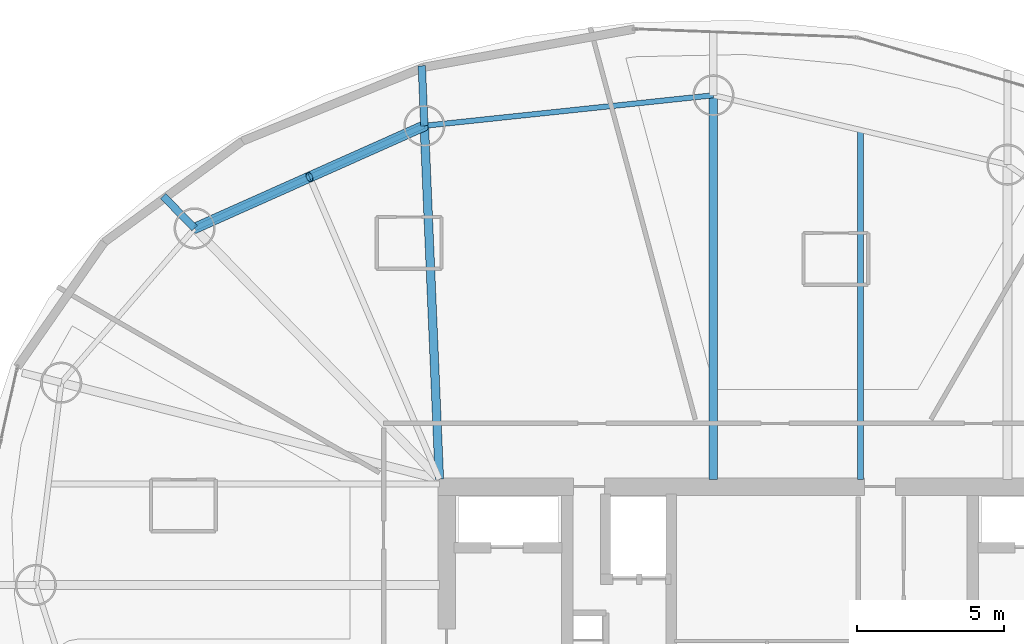
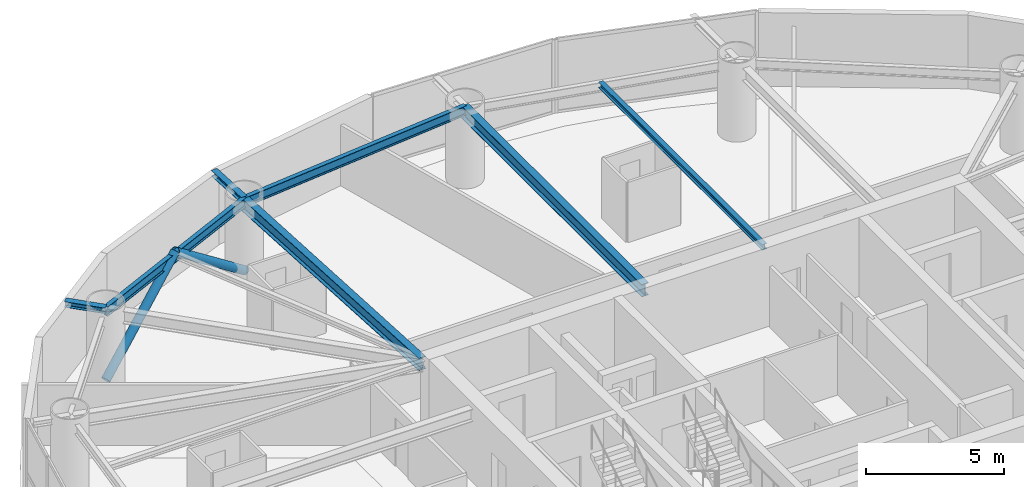
# One storey, part 12 of 22: 7 beams, 2 members.
"""IFC4 building model written with IfcOpenShell, lengths in metres."""

import ifcopenshell
import ifcopenshell.guid

model = None  # the IFC model being written
_history = None  # IfcOwnerHistory: only IFC2X3 demands one
_inside = {}  # id of a spatial element -> (the spatial element, [elements in it])
_under = {}  # id of a project, library or spatial element -> (it, [spatial elements below it])
_declared = {}  # id of a project -> (the project, [libraries it declares])
_typed = {}  # id of a type object -> (the type object, [elements of that type])
_made_of = {}  # id of a material, layer set ... -> (it, [elements and type objects made of it])


def new_model(schema):
    """Start an empty IFC model of exactly this schema.

    Asked for "IFC4X3", IfcOpenShell would pick the latest addendum, in which some entities
    have other attributes; the version numbers below select the first issue.
    IFC2X3 requires an IfcOwnerHistory on every rooted entity: one is made here for all.
    """
    global model, _history
    if schema == "IFC4X3":
        model = ifcopenshell.file(schema_version=(4, 3, 0, 0))
    else:
        model = ifcopenshell.file(schema=schema)
    _inside.clear()
    _under.clear()
    _declared.clear()
    _typed.clear()
    _made_of.clear()
    _history = None
    if model.schema == "IFC2X3":
        org = make("IfcOrganization", Name="unknown")
        user = make(
            "IfcPersonAndOrganization",
            ThePerson=make("IfcPerson", FamilyName="unknown"),
            TheOrganization=org,
        )
        app = make(
            "IfcApplication",
            ApplicationDeveloper=org,
            Version="unknown",
            ApplicationFullName="unknown",
            ApplicationIdentifier="unknown",
        )
        _history = make(
            "IfcOwnerHistory",
            OwningUser=user,
            OwningApplication=app,
            ChangeAction="ADDED",
            CreationDate=0,
        )
    return model


def make(cls, **values):
    """One entity of the class cls with the attributes given. An attribute that is None is left unset."""
    return model.create_entity(
        cls, **{name: value for name, value in values.items() if value is not None}
    )


def rooted(cls, **values):
    """An entity with a GlobalId (a new one), such as an element, a storey or a relation."""
    return make(cls, GlobalId=ifcopenshell.guid.new(), OwnerHistory=_history, **values)


def si_unit(unit_type, name, prefix=None):
    """IfcSIUnit, for example si_unit("LENGTHUNIT", "METRE", prefix="MILLI")."""
    return make("IfcSIUnit", UnitType=unit_type, Prefix=prefix, Name=name)


def assignment(units):
    """IfcUnitAssignment: the units of a project."""
    return None if units is None else make("IfcUnitAssignment", Units=units)


def point(xyz):
    """IfcCartesianPoint."""
    return None if xyz is None else make("IfcCartesianPoint", Coordinates=xyz)


def direction(xyz):
    """IfcDirection."""
    return None if xyz is None else make("IfcDirection", DirectionRatios=xyz)


def frame(location, z_axis=None, x_axis=None):
    """IfcAxis2Placement3D, a coordinate frame: its origin and axes. An axis left out is left unset."""
    return make(
        "IfcAxis2Placement3D",
        Location=point(location),
        Axis=direction(z_axis),
        RefDirection=direction(x_axis),
    )


def frame_2d(location, x_axis=None):
    """IfcAxis2Placement2D, a coordinate frame in the plane: its origin and x axis."""
    return make(
        "IfcAxis2Placement2D", Location=point(location), RefDirection=direction(x_axis)
    )


def origin():
    """The frame at (0, 0, 0) with its axes left unset."""
    return frame((0.0, 0.0, 0.0))


def origin_2d():
    """The frame at (0, 0) in the plane with its x axis left unset."""
    return frame_2d((0.0, 0.0))


def place(relative_to, where):
    """IfcLocalPlacement: puts the frame where relative to a parent placement (None: the world)."""
    return make(
        "IfcLocalPlacement", PlacementRelTo=relative_to, RelativePlacement=where
    )


def context(
    kind, dimensions, precision=None, world=None, true_north=None, identifier=None
):
    """IfcGeometricRepresentationContext, for example the 3D "Model" context."""
    return make(
        "IfcGeometricRepresentationContext",
        ContextIdentifier=identifier,
        ContextType=kind,
        CoordinateSpaceDimension=dimensions,
        Precision=precision,
        WorldCoordinateSystem=world,
        TrueNorth=true_north,
    )


def subcontext(parent, identifier, kind, view, scale=None):
    """IfcGeometricRepresentationSubContext, for example "Body" below "Model"."""
    return make(
        "IfcGeometricRepresentationSubContext",
        ContextIdentifier=identifier,
        ContextType=kind,
        ParentContext=parent,
        TargetScale=scale,
        TargetView=view,
    )


def project(units=None, contexts=None):
    """IfcProject with its units and contexts."""
    return rooted(
        "IfcProject",
        Name="project",
        RepresentationContexts=contexts,
        UnitsInContext=assignment(units),
    )


def spatial(cls, under=None, at=None, **own):
    """A site, building, storey or space (cls), placed at a placement, below another one or the project."""
    s = rooted(cls, ObjectPlacement=at, **own)
    if under is not None:
        _under.setdefault(under.id(), (under, []))[1].append(s)
    return s


def profile(cls, at=None, kind="AREA", **sizes):
    """A parametric profile (cls). Its sizes go by their IFC names, for example OverallWidth=200.0."""
    return make(cls, ProfileType=kind, Position=at, **sizes)


def hollow_circle(**sizes):
    """IfcCircleHollowProfileDef."""
    return profile("IfcCircleHollowProfileDef", **sizes)


def i_section(**sizes):
    """IfcIShapeProfileDef."""
    return profile("IfcIShapeProfileDef", **sizes)


def extrude(swept, where, along, depth):
    """IfcExtrudedAreaSolid: the profile swept, set in the frame where, extruded along a direction by depth."""
    return make(
        "IfcExtrudedAreaSolid",
        SweptArea=swept,
        Position=where,
        ExtrudedDirection=direction(along),
        Depth=depth,
    )


def shape(context_of_items, identifier, shape_type, items):
    """IfcShapeRepresentation: the items that make up one representation, for example the "Body"."""
    return make(
        "IfcShapeRepresentation",
        ContextOfItems=context_of_items,
        RepresentationIdentifier=identifier,
        RepresentationType=shape_type,
        Items=items,
    )


def material(Name=None, Category=None):
    """IfcMaterial."""
    return make("IfcMaterial", Name=Name, Category=Category)


def material_profile(
    of_material, cross_section, Name=None, Category=None, Priority=None
):
    """IfcMaterialProfile: a cross section and its material."""
    return make(
        "IfcMaterialProfile",
        Name=Name,
        Material=of_material,
        Profile=cross_section,
        Priority=Priority,
        Category=Category,
    )


def profile_set(profiles, Name=None, composite=None):
    """IfcMaterialProfileSet."""
    return make(
        "IfcMaterialProfileSet",
        Name=Name,
        MaterialProfiles=profiles,
        CompositeProfile=composite,
    )


def made_of(thing, what):
    """Note that an element or type object is made of a material, layer set ...; save() writes the relation."""
    if what is not None:
        _made_of.setdefault(what.id(), (what, []))[1].append(thing)
    return thing


def type_object(cls, material=None, **own):
    """A type object (cls), such as IfcWallType, which elements share."""
    return made_of(rooted(cls, **own), material)


def element(
    cls,
    number,
    at=None,
    inside=None,
    cuts=None,
    type_object=None,
    material=None,
    context=None,
    identifier="Body",
    shape_type=None,
    held_by="IfcProductDefinitionShape",
    body=None,
    shapes=None,
    **own,
):
    """One element of the class cls, such as IfcWall. Its Tag is "e" and its number.

    at: its placement. inside: the storey or other place that contains it. cuts: it is an
    opening in that element (IfcRelVoidsElement). A single representation is given by context,
    identifier, shape_type and body (its items); several are given by shapes. held_by: the class
    of the entity that holds the representations. save() writes the other relations.
    """
    e = rooted(cls, Tag="e%d" % number, ObjectPlacement=at, **own)
    if body is not None:
        shapes = [shape(context, identifier, shape_type, body)]
    if shapes is not None:
        e.Representation = make(held_by, Representations=shapes)
    if inside is not None:
        _inside.setdefault(inside.id(), (inside, []))[1].append(e)
    if cuts is not None:
        rooted(
            "IfcRelVoidsElement", RelatingBuildingElement=cuts, RelatedOpeningElement=e
        )
    if type_object is not None:
        _typed.setdefault(type_object.id(), (type_object, []))[1].append(e)
    return made_of(e, material)


def aggregate(whole, parts):
    """IfcRelAggregates: a whole, such as a stair, and the parts it consists of."""
    return rooted("IfcRelAggregates", RelatingObject=whole, RelatedObjects=parts)


def save(model, path):
    """Write the relations noted so far, then the file.

    IfcRelAggregates (storeys below a building ...), IfcRelContainedInSpatialStructure (elements
    in a storey), IfcRelDefinesByType, IfcRelAssociatesMaterial and IfcRelDeclares: one each for
    every whole, place, type object, material and project.
    """
    for whole, parts in _under.values():
        aggregate(whole, parts)
    for where, things in _inside.values():
        rooted(
            "IfcRelContainedInSpatialStructure",
            RelatedElements=things,
            RelatingStructure=where,
        )
    for kind, things in _typed.values():
        rooted("IfcRelDefinesByType", RelatedObjects=things, RelatingType=kind)
    for what, things in _made_of.values():
        rooted("IfcRelAssociatesMaterial", RelatedObjects=things, RelatingMaterial=what)
    for by, libraries in _declared.values():
        rooted("IfcRelDeclares", RelatingContext=by, RelatedDefinitions=libraries)
    model.write(path)


model = new_model("IFC4")

# Units and contexts
model_context = context("Model", 3, precision=1e-05, world=origin(), true_north=direction((0.0, 1.0)))
body_context = subcontext(model_context, "Body", "Model", "MODEL_VIEW")
ifc_project = project(units=[si_unit("LENGTHUNIT", "METRE"), si_unit("AREAUNIT", "SQUARE_METRE"), si_unit("VOLUMEUNIT", "CUBIC_METRE"), si_unit("PLANEANGLEUNIT", "RADIAN"), si_unit("MASSUNIT", "GRAM", prefix="KILO")], contexts=[model_context])

# Site, building, storey
site_placement = place(None, origin())
site = spatial("IfcSite", under=ifc_project, at=site_placement, CompositionType="ELEMENT")
building_placement = place(site_placement, origin())
building = spatial("IfcBuilding", under=site, at=building_placement, Name="Bramvorn Convention Spire", CompositionType="ELEMENT")
storey_placement = place(building_placement, frame((0.0, 0.0, 127.300048828125)))
storey = spatial("IfcBuildingStorey", under=building, at=storey_placement, Name="L31", CompositionType="ELEMENT", Elevation=127.300048828125)

# Beams
ifc_material = material(Name="Steel CSA G40.21 Grade 350 (350W)", Category="steel")
ifc_material_profile_1 = material_profile(ifc_material, i_section(OverallWidth=0.201904296875, OverallDepth=0.2470703125, WebThickness=0.00732421875, FlangeThickness=0.010986328125, FilletRadius=0.011962890625, at=origin_2d()))
ifc_profile_set_1 = profile_set([ifc_material_profile_1], Name="Steel CSA G40.21 Grade 350 (350W) - W250X49")
beam_type_1 = type_object("IfcBeamType", Name="BM-W250X49", PredefinedType="JOIST", material=ifc_profile_set_1)
beam_1_placement = place(storey_placement, frame((41.079345703125, 33.449951171875, 3.136474609375), z_axis=(0.0, 1.0, 0.0), x_axis=(-1.0, 0.0, 0.0)))
element("IfcBeam", 1, at=beam_1_placement, inside=storey, type_object=beam_type_1, Name="L31 composite floor joist 05", PredefinedType="JOIST", context=body_context, shape_type="SweptSolid", body=[
    extrude(i_section(OverallWidth=0.201904296875, OverallDepth=0.2470703125, WebThickness=0.00732421875, FlangeThickness=0.010986328125, FilletRadius=0.011962890625, at=origin_2d()), origin(), (0.0, 0.0, 1.0), 11.8857421875),
])
ifc_material_profile_2 = material_profile(ifc_material, i_section(OverallWidth=0.25390625, OverallDepth=0.2529296875, WebThickness=0.008544921875, FlangeThickness=0.01416015625, FilletRadius=0.011962890625, at=origin_2d()))
ifc_profile_set_2 = profile_set([ifc_material_profile_2], Name="Steel CSA G40.21 Grade 350 (350W) - W250X73")
beam_type_2 = type_object("IfcBeamType", Name="BM-W250X73", PredefinedType="BEAM", material=ifc_profile_set_2)
beam_2_placement = place(storey_placement, frame((26.23828125, 45.478759765625, 3.133544921875), z_axis=(-0.042524864364, 0.999095408813, 0.0), x_axis=(-0.999095408813, -0.042524864364, 0.0)))
element("IfcBeam", 2, at=beam_2_placement, inside=storey, type_object=beam_type_2, Name="L31 slab-edge cantilever tip beam MC07", PredefinedType="BEAM", context=body_context, shape_type="SweptSolid", body=[
    extrude(i_section(OverallWidth=0.25390625, OverallDepth=0.2529296875, WebThickness=0.008544921875, FlangeThickness=0.01416015625, FilletRadius=0.011962890625, at=origin_2d()), origin(), (0.0, 0.0, 1.0), 2.0439453125),
])
beam_3_placement = place(storey_placement, frame((18.420166015625, 41.9892578125, 3.133544921875), z_axis=(-0.698265958173, 0.715838425663, 0.0), x_axis=(-0.715838425663, -0.698265958173, 0.0)))
element("IfcBeam", 3, at=beam_3_placement, inside=storey, type_object=beam_type_2, Name="L31 slab-edge cantilever tip beam MC08", PredefinedType="BEAM", context=body_context, shape_type="SweptSolid", body=[
    extrude(i_section(OverallWidth=0.25390625, OverallDepth=0.2529296875, WebThickness=0.008544921875, FlangeThickness=0.01416015625, FilletRadius=0.011962890625, at=origin_2d()), origin(), (0.0, 0.0, 1.0), 1.5283203125),
])
ifc_material_profile_3 = material_profile(ifc_material, i_section(OverallWidth=0.180908203125, OverallDepth=0.4169921875, WebThickness=0.010986328125, FlangeThickness=0.018310546875, FilletRadius=0.01611328125, at=origin_2d()))
ifc_profile_set_3 = profile_set([ifc_material_profile_3], Name="Steel CSA G40.21 Grade 350 (350W) - W410X85")
beam_type_3 = type_object("IfcBeamType", Name="BM-W410X85", PredefinedType="JOIST", material=ifc_profile_set_3)
beam_4_placement = place(storey_placement, frame((36.075927734375, 46.517333984375, 3.051513671875), z_axis=(-0.994473491975, -0.104987969596, 0.0), x_axis=(0.104987969596, -0.994473491975, 0.0)))
element("IfcBeam", 4, at=beam_4_placement, inside=storey, type_object=beam_type_3, Name="L31 mega-column ring beam 06", PredefinedType="JOIST", context=body_context, shape_type="SweptSolid", body=[
    extrude(i_section(OverallWidth=0.180908203125, OverallDepth=0.4169921875, WebThickness=0.010986328125, FlangeThickness=0.018310546875, FilletRadius=0.01611328125, at=origin_2d()), origin(), (0.0, 0.0, 1.0), 9.892333984375),
])
beam_5_placement = place(storey_placement, frame((26.23828125, 45.478759765625, 3.051513671875), z_axis=(-0.913169534701, -0.407579931908, 0.0), x_axis=(0.407579931908, -0.913169534701, 0.0)))
element("IfcBeam", 5, at=beam_5_placement, inside=storey, type_object=beam_type_3, Name="L31 mega-column ring beam 07", PredefinedType="JOIST", context=body_context, shape_type="SweptSolid", body=[
    extrude(i_section(OverallWidth=0.180908203125, OverallDepth=0.4169921875, WebThickness=0.010986328125, FlangeThickness=0.018310546875, FilletRadius=0.01611328125, at=origin_2d()), origin(), (0.0, 0.0, 1.0), 8.5615234375),
])
ifc_material_profile_4 = material_profile(ifc_material, i_section(OverallWidth=0.2919921875, OverallDepth=0.551025390625, WebThickness=0.01513671875, FlangeThickness=0.0244140625, FilletRadius=0.01904296875, at=origin_2d()))
ifc_profile_set_4 = profile_set([ifc_material_profile_4], Name="Steel CSA G40.21 Grade 350 (350W) - W530X182")
beam_type_4 = type_object("IfcBeamType", Name="BM-W530X182", PredefinedType="BEAM", material=ifc_profile_set_4)
beam_6_placement = place(storey_placement, frame((36.075927734375, 33.449951171875, 2.984375), z_axis=(0.0, 1.0, 0.0), x_axis=(-1.0, 0.0, 0.0)))
element("IfcBeam", 6, at=beam_6_placement, inside=storey, type_object=beam_type_4, Name="L31 radial floor girder MC06", PredefinedType="BEAM", context=body_context, shape_type="SweptSolid", body=[
    extrude(i_section(OverallWidth=0.2919921875, OverallDepth=0.551025390625, WebThickness=0.01513671875, FlangeThickness=0.0244140625, FilletRadius=0.01904296875, at=origin_2d()), origin(), (0.0, 0.0, 1.0), 13.0673828125),
])
beam_7_placement = place(storey_placement, frame((26.75, 33.449951171875, 2.984375), z_axis=(-0.042502657955, 0.999096353745, 0.0), x_axis=(-0.999096353745, -0.042502657955, 0.0)))
element("IfcBeam", 7, at=beam_7_placement, inside=storey, type_object=beam_type_4, Name="L31 radial floor girder MC07", PredefinedType="BEAM", context=body_context, shape_type="SweptSolid", body=[
    extrude(i_section(OverallWidth=0.2919921875, OverallDepth=0.551025390625, WebThickness=0.01513671875, FlangeThickness=0.0244140625, FilletRadius=0.01904296875, at=origin_2d()), origin(), (0.0, 0.0, 1.0), 12.039794921875),
])

# Members
ifc_material_profile_5 = material_profile(ifc_material, hollow_circle(Radius=0.177734375, WallThickness=0.015869140625, at=origin_2d()))
ifc_profile_set_5 = profile_set([ifc_material_profile_5], Name="Steel CSA G40.21 Grade 350 (350W) - CHS356X16")
member_type = type_object("IfcMemberType", Name="MBR-CHS356X16", PredefinedType="BRACE", material=ifc_profile_set_5)
member_1_placement = place(storey_placement, frame((26.23828125, 45.478759765625, 0.0), z_axis=(-0.726493716718, -0.324272457743, 0.605850024939), x_axis=(0.407593096918, -0.913163658577, 0.0)))
element("IfcMember", 8, at=member_1_placement, inside=storey, type_object=member_type, Name="L31 perimeter Gothic lancet brace 7A", PredefinedType="BRACE", context=body_context, shape_type="SweptSolid", body=[
    extrude(hollow_circle(Radius=0.177734375, WallThickness=0.015869140625, at=origin_2d()), origin(), (0.0, 0.0, 1.0), 5.380859375),
])
member_2_placement = place(storey_placement, frame((18.420166015625, 41.9892578125, 0.0), z_axis=(0.726482979428, 0.324242543938, 0.605878909768), x_axis=(-0.407566765821, 0.913175411078, 0.0)))
element("IfcMember", 9, at=member_2_placement, inside=storey, type_object=member_type, Name="L31 perimeter Gothic lancet brace 7B", PredefinedType="BRACE", context=body_context, shape_type="SweptSolid", body=[
    extrude(hollow_circle(Radius=0.177734375, WallThickness=0.015869140625, at=origin_2d()), origin(), (0.0, 0.0, 1.0), 5.380615234375),
])

save(model, "model.ifc")
